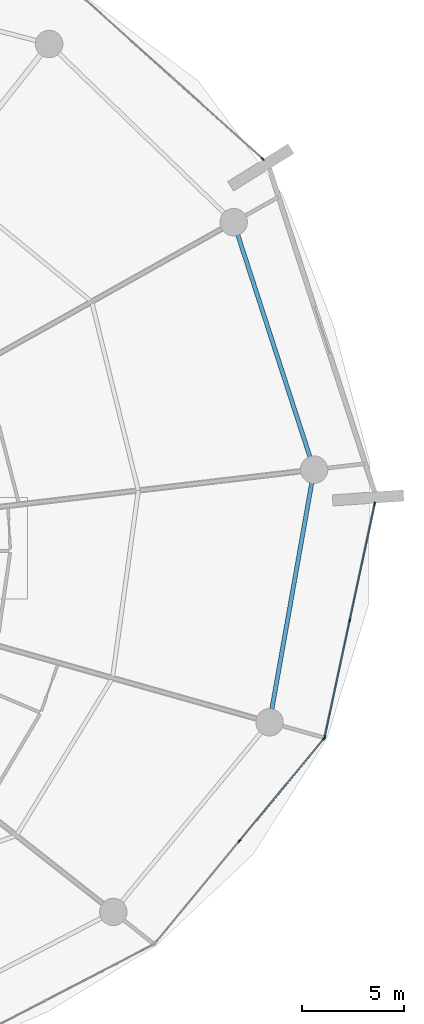
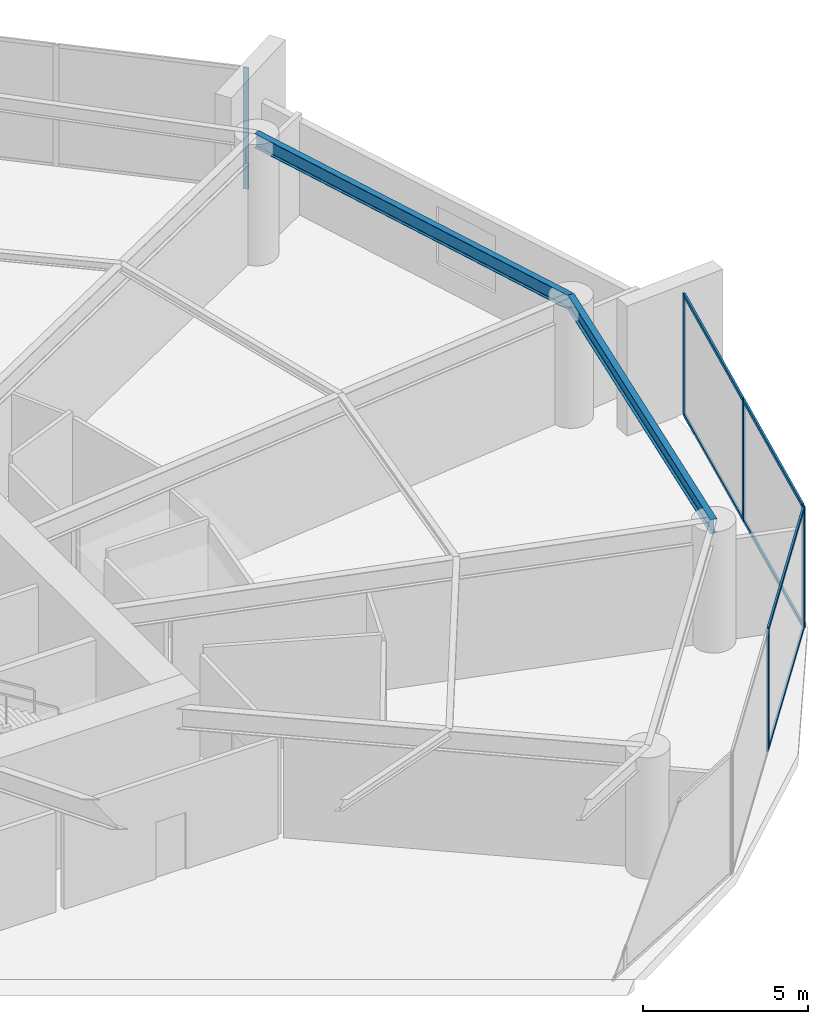
# One storey, part 16 of 22: 12 members, 2 beams, 3 elements without a shape of their own.
"""IFC4 building model written with IfcOpenShell, lengths in metres."""

from ifc_helpers import new_model, si_unit, direction, frame, origin, origin_2d, place, context, subcontext, project, spatial, rectangle, i_section, extrude, material, layer, layer_set, material_profile, profile_set, type_object, element, aggregate, save


model = new_model("IFC4")

# Units and contexts
model_context = context("Model", 3, precision=1e-05, world=origin(), true_north=direction((0.0, 1.0)))
body_context = subcontext(model_context, "Body", "Model", "MODEL_VIEW")
ifc_project = project(units=[si_unit("LENGTHUNIT", "METRE"), si_unit("AREAUNIT", "SQUARE_METRE"), si_unit("VOLUMEUNIT", "CUBIC_METRE"), si_unit("PLANEANGLEUNIT", "RADIAN"), si_unit("MASSUNIT", "GRAM", prefix="KILO")], contexts=[model_context])

# Site, building, storey
site_placement = place(None, origin())
site = spatial("IfcSite", under=ifc_project, at=site_placement, CompositionType="ELEMENT")
building_placement = place(site_placement, origin())
building = spatial("IfcBuilding", under=site, at=building_placement, Name="Kazma Halo Residences", CompositionType="ELEMENT")
storey_placement = place(building_placement, frame((0.0, 0.0, 7.199951171875)))
storey = spatial("IfcBuildingStorey", under=building, at=storey_placement, Name="L01", CompositionType="ELEMENT", Elevation=7.199951171875)

# Beams
ifc_material_1 = material(Name="Steel S355", Category="steel")
ifc_material_profile_1 = material_profile(ifc_material_1, i_section(OverallWidth=0.208984375, OverallDepth=0.532958984375, WebThickness=0.01025390625, FlangeThickness=0.015625, FilletRadius=0.01611328125, at=origin_2d()), Name="W530x92")
ifc_profile_set_1 = profile_set([ifc_material_profile_1], Name="Steel S355")
beam_type = type_object("IfcBeamType", Name="BM-SPN-W530", PredefinedType="BEAM", material=ifc_profile_set_1)
beam_1_placement = place(storey_placement, frame((78.397705078125, 33.427001953125, 4.213623046875), z_axis=(0.173657334149, 0.984806138434, 0.0), x_axis=(-0.984806138434, 0.173657334149, 0.0)))
element("IfcBeam", 1, at=beam_1_placement, inside=storey, type_object=beam_type, Name="L01 perimeter ring beam 15", PredefinedType="BEAM", context=body_context, shape_type="SweptSolid", body=[
    extrude(i_section(OverallWidth=0.208984375, OverallDepth=0.532958984375, WebThickness=0.01025390625, FlangeThickness=0.015625, FilletRadius=0.01611328125, at=origin_2d()), origin(), (0.0, 0.0, 1.0), 12.6220703125),
])
beam_2_placement = place(storey_placement, frame((80.589599609375, 45.857177734375, 4.213623046875), z_axis=(-0.3090114866, 0.951058305862, 0.0), x_axis=(-0.951058305862, -0.3090114866, 0.0)))
element("IfcBeam", 2, at=beam_2_placement, inside=storey, type_object=beam_type, Name="L01 perimeter ring beam 16", PredefinedType="BEAM", context=body_context, shape_type="SweptSolid", body=[
    extrude(i_section(OverallWidth=0.208984375, OverallDepth=0.532958984375, WebThickness=0.01025390625, FlangeThickness=0.015625, FilletRadius=0.01611328125, at=origin_2d()), origin(), (0.0, 0.0, 1.0), 12.8046875),
])

# Curtain wall, member
ifc_material_2 = material(Name="Aluminium AW-6063 T6 and Triple-Silver Low-E Glass", Category="aluminium")
ifc_layer = layer(ifc_material_2, 0.179931640625)
ifc_layer_set = layer_set([ifc_layer], Name="Aluminium AW-6063 T6 and Triple-Silver Low-E Glass")
curtain_wall_type = type_object("IfcCurtainWallType", Name="CW-SYS-1", PredefinedType="NOTDEFINED", material=ifc_layer_set)
curtain_wall_1_placement = place(storey_placement, origin())
curtain_wall_1 = element("IfcCurtainWall", 3, at=curtain_wall_1_placement, inside=storey, type_object=curtain_wall_type, Name="L01 unitised curtain wall B01", PredefinedType="NOTDEFINED")
ifc_material_3 = material(Name="Aluminium AW-6063 T6", Category="aluminium")
ifc_material_profile_2 = material_profile(ifc_material_3, rectangle(XDim=0.06494140625, YDim=0.179931640625, at=origin_2d()), Name="CWM-65x180")
ifc_profile_set_2 = profile_set([ifc_material_profile_2], Name="Aluminium AW-6063 T6")
member_type_1 = type_object("IfcMemberType", Name="CW-SYS-1-MUL", PredefinedType="MULLION", material=ifc_profile_set_2)
member_1_placement = place(storey_placement, frame((78.05859375, 61.14990234375, 0.0), z_axis=(0.0, 0.0, 1.0), x_axis=(-0.667847908139, -0.744297770784, 0.0)))
member_1 = element("IfcMember", 4, at=member_1_placement, type_object=member_type_1, Name="CWS-1 mullion 1", PredefinedType="MULLION", context=body_context, shape_type="SweptSolid", body=[
    extrude(rectangle(XDim=0.06494140625, YDim=0.179931640625, at=origin_2d()), origin(), (0.0, 0.0, 1.0), 4.47998046875),
])
aggregate(curtain_wall_1, [member_1])

# Curtain wall, members
curtain_wall_2_placement = place(storey_placement, origin())
curtain_wall_2 = element("IfcCurtainWall", 5, at=curtain_wall_2_placement, inside=storey, type_object=curtain_wall_type, Name="L01 unitised curtain wall B14", PredefinedType="NOTDEFINED")
member_2_placement = place(storey_placement, frame((76.915283203125, 27.5859375, 0.0), z_axis=(0.0, 0.0, 1.0), x_axis=(-0.771191775002, 0.636602895194, 0.0)))
member_2 = element("IfcMember", 6, at=member_2_placement, type_object=member_type_1, Name="CWS-1 mullion 2", PredefinedType="MULLION", context=body_context, shape_type="SweptSolid", body=[
    extrude(rectangle(XDim=0.06494140625, YDim=0.179931640625, at=origin_2d()), origin(), (0.0, 0.0, 1.0), 4.47998046875),
])
member_3_placement = place(storey_placement, frame((81.08544921875, 32.637939453125, 0.0), z_axis=(0.0, 0.0, 1.0), x_axis=(-0.771191775002, 0.636602895194, 0.0)))
member_3 = element("IfcMember", 7, at=member_3_placement, type_object=member_type_1, Name="CWS-1 mullion 3", PredefinedType="MULLION", context=body_context, shape_type="SweptSolid", body=[
    extrude(rectangle(XDim=0.06494140625, YDim=0.179931640625, at=origin_2d()), origin(), (0.0, 0.0, 1.0), 4.47998046875),
])

curtain_wall_3_placement = place(storey_placement, origin())
curtain_wall_3 = element("IfcCurtainWall", 8, at=curtain_wall_3_placement, inside=storey, type_object=curtain_wall_type, Name="L01 unitised curtain wall B15", PredefinedType="NOTDEFINED")
member_4_placement = place(storey_placement, frame((81.113037109375, 32.69482421875, 0.0), z_axis=(0.0, 0.0, 1.0), x_axis=(-0.977788157631, 0.209595607771, 0.0)))
member_4 = element("IfcMember", 9, at=member_4_placement, type_object=member_type_1, Name="CWS-1 mullion 1", PredefinedType="MULLION", context=body_context, shape_type="SweptSolid", body=[
    extrude(rectangle(XDim=0.06494140625, YDim=0.179931640625, at=origin_2d()), origin(), (0.0, 0.0, 1.0), 4.47998046875),
])
member_5_placement = place(storey_placement, frame((82.343505859375, 38.435302734375, 0.0), z_axis=(0.0, 0.0, 1.0), x_axis=(-0.977788157631, 0.209595607771, 0.0)))
member_5 = element("IfcMember", 10, at=member_5_placement, type_object=member_type_1, Name="CWS-1 mullion 2", PredefinedType="MULLION", context=body_context, shape_type="SweptSolid", body=[
    extrude(rectangle(XDim=0.06494140625, YDim=0.179931640625, at=origin_2d()), origin(), (0.0, 0.0, 1.0), 4.47998046875),
])
member_6_placement = place(storey_placement, frame((83.573974609375, 44.175537109375, 0.0), z_axis=(0.0, 0.0, 1.0), x_axis=(-0.977788157631, 0.209595607771, 0.0)))
member_6 = element("IfcMember", 11, at=member_6_placement, type_object=member_type_1, Name="CWS-1 mullion 3", PredefinedType="MULLION", context=body_context, shape_type="SweptSolid", body=[
    extrude(rectangle(XDim=0.06494140625, YDim=0.179931640625, at=origin_2d()), origin(), (0.0, 0.0, 1.0), 4.47998046875),
])

# Member
ifc_material_profile_3 = material_profile(ifc_material_3, rectangle(XDim=0.06494140625, YDim=0.135009765625, at=origin_2d()), Name="CWT-65x135")
ifc_profile_set_3 = profile_set([ifc_material_profile_3], Name="Aluminium AW-6063 T6")
member_type_2 = type_object("IfcMemberType", Name="CW-SYS-1-TRN", PredefinedType="USERDEFINED", material=ifc_profile_set_3)
member_7_placement = place(storey_placement, frame((76.935791015625, 27.611083984375, 0.032470703125), z_axis=(0.636615852507, 0.771181078825, 0.0), x_axis=(-0.771181078825, 0.636615852507, 0.0)))
member_7 = element("IfcMember", 12, at=member_7_placement, type_object=member_type_2, Name="CWS-1 transom 2.1", ObjectType="TRANSOM", PredefinedType="USERDEFINED", context=body_context, shape_type="SweptSolid", body=[
    extrude(rectangle(XDim=0.06494140625, YDim=0.135009765625, at=origin_2d()), origin(), (0.0, 0.0, 1.0), 6.486083984375),
])

member_8_placement = place(storey_placement, frame((76.935791015625, 27.611083984375, 4.447509765625), z_axis=(0.636615852507, 0.771181078825, 0.0), x_axis=(-0.771181078825, 0.636615852507, 0.0)))
member_8 = element("IfcMember", 13, at=member_8_placement, type_object=member_type_2, Name="CWS-1 transom 2.2", ObjectType="TRANSOM", PredefinedType="USERDEFINED", context=body_context, shape_type="SweptSolid", body=[
    extrude(rectangle(XDim=0.06494140625, YDim=0.135009765625, at=origin_2d()), origin(), (0.0, 0.0, 1.0), 6.486083984375),
])

aggregate(curtain_wall_2, [member_2, member_3, member_7, member_8])

member_9_placement = place(storey_placement, frame((81.119873046875, 32.7265625, 0.032470703125), z_axis=(0.209577907659, 0.977791951604, 0.0), x_axis=(-0.977791951604, 0.209577907659, 0.0)))
member_9 = element("IfcMember", 14, at=member_9_placement, type_object=member_type_2, Name="CWS-1 transom 1.1", ObjectType="TRANSOM", PredefinedType="USERDEFINED", context=body_context, shape_type="SweptSolid", body=[
    extrude(rectangle(XDim=0.06494140625, YDim=0.135009765625, at=origin_2d()), origin(), (0.0, 0.0, 1.0), 5.805908203125),
])

member_10_placement = place(storey_placement, frame((81.119873046875, 32.7265625, 4.447509765625), z_axis=(0.209577907659, 0.977791951604, 0.0), x_axis=(-0.977791951604, 0.209577907659, 0.0)))
member_10 = element("IfcMember", 15, at=member_10_placement, type_object=member_type_2, Name="CWS-1 transom 1.2", ObjectType="TRANSOM", PredefinedType="USERDEFINED", context=body_context, shape_type="SweptSolid", body=[
    extrude(rectangle(XDim=0.06494140625, YDim=0.135009765625, at=origin_2d()), origin(), (0.0, 0.0, 1.0), 5.805908203125),
])

member_11_placement = place(storey_placement, frame((82.350341796875, 38.467041015625, 0.032470703125), z_axis=(0.209586525071, 0.977790104526, 0.0), x_axis=(-0.977790104526, 0.209586525071, 0.0)))
member_11 = element("IfcMember", 16, at=member_11_placement, type_object=member_type_2, Name="CWS-1 transom 2.1", ObjectType="TRANSOM", PredefinedType="USERDEFINED", context=body_context, shape_type="SweptSolid", body=[
    extrude(rectangle(XDim=0.06494140625, YDim=0.135009765625, at=origin_2d()), origin(), (0.0, 0.0, 1.0), 5.8056640625),
])

member_12_placement = place(storey_placement, frame((82.350341796875, 38.467041015625, 4.447509765625), z_axis=(0.209586525071, 0.977790104526, 0.0), x_axis=(-0.977790104526, 0.209586525071, 0.0)))
member_12 = element("IfcMember", 17, at=member_12_placement, type_object=member_type_2, Name="CWS-1 transom 2.2", ObjectType="TRANSOM", PredefinedType="USERDEFINED", context=body_context, shape_type="SweptSolid", body=[
    extrude(rectangle(XDim=0.06494140625, YDim=0.135009765625, at=origin_2d()), origin(), (0.0, 0.0, 1.0), 5.8056640625),
])

aggregate(curtain_wall_3, [member_4, member_5, member_6, member_9, member_10, member_11, member_12])

save(model, "model.ifc")
